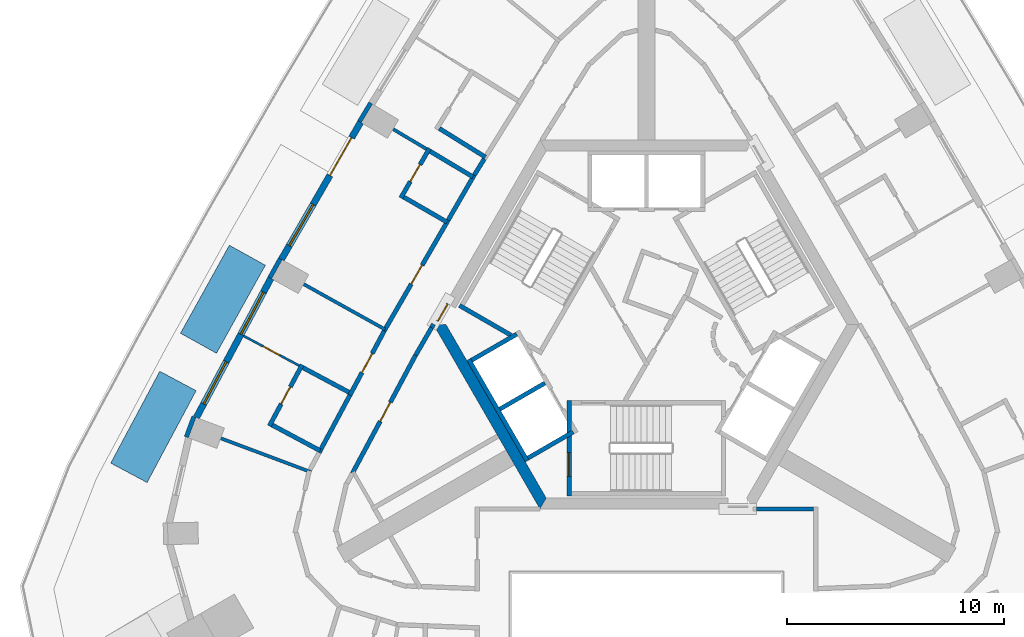
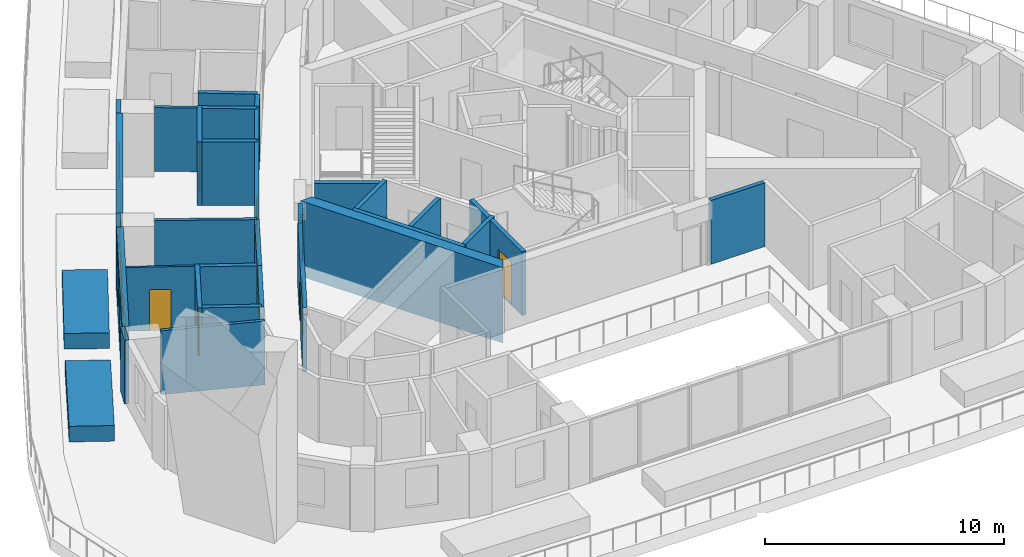
# One storey, part 4 of 12: 35 walls, 9 doors, 3 windows, 12 openings.
"""IFC4 building model written with IfcOpenShell, lengths in metres."""

from ifc_helpers import new_model, si_unit, direction, frame, frame_2d, origin, place, context, subcontext, project, spatial, polyline, rectangle, outline, extrude, material, layer, layer_set, type_object, element, fill, save


model = new_model("IFC4")

# Units and contexts
model_context = context("Model", 3, precision=1e-05, world=origin(), true_north=direction((0.0, 1.0)))
body_context = subcontext(model_context, "Body", "Model", "MODEL_VIEW")
ifc_project = project(units=[si_unit("LENGTHUNIT", "METRE"), si_unit("AREAUNIT", "SQUARE_METRE"), si_unit("VOLUMEUNIT", "CUBIC_METRE"), si_unit("PLANEANGLEUNIT", "RADIAN"), si_unit("MASSUNIT", "GRAM", prefix="KILO")], contexts=[model_context])

# Site, building, storey
site_placement = place(None, origin())
site = spatial("IfcSite", under=ifc_project, at=site_placement, CompositionType="ELEMENT")
building_placement = place(site_placement, origin())
building = spatial("IfcBuilding", under=site, at=building_placement, Name="Entoto Arch Interchange Tower", CompositionType="ELEMENT")
storey_placement = place(building_placement, frame((0.0, 0.0, 286.39990234375)))
storey = spatial("IfcBuildingStorey", under=building, at=storey_placement, Name="L66", CompositionType="ELEMENT", Elevation=286.39990234375)

# Wall, opening, door
ifc_material_1 = material(Name="Reinforced concrete C40/50", Category="concrete")
ifc_layer_1 = layer(ifc_material_1, 0.199951171875)
ifc_layer_set_1 = layer_set([ifc_layer_1], Name="Reinforced concrete C40/50")
wall_type_1 = type_object("IfcWallType", Name="CORE GAP INFILL WALL", PredefinedType="PARTITIONING", material=ifc_layer_set_1)
wall_1_placement = place(storey_placement, frame((-9.14990234375, 3.451904296875, 0.0), z_axis=(0.0, 0.0, 1.0), x_axis=(-0.500079945886, -0.865979242085, 0.0)))
wall_1 = element("IfcWall", 1, at=wall_1_placement, inside=storey, type_object=wall_type_1, Name="wall:L66:gap3", PredefinedType="PARTITIONING", context=body_context, shape_type="SweptSolid", body=[
    extrude(rectangle(XDim=0.926025390625, YDim=0.199951171875, at=frame_2d((0.462890625, 0.0))), origin(), (0.0, 0.0, 1.0), 2.400146484375),
])
opening_1_placement = place(wall_1_placement, frame((0.01708984375, 0.0, 0.0)))
opening_1 = element("IfcOpeningElement", 2, at=opening_1_placement, cuts=wall_1, Name="Opening L66-D93", PredefinedType="OPENING", context=body_context, shape_type="SweptSolid", body=[
    extrude(rectangle(XDim=0.89990234375, YDim=2.10009765625, at=frame_2d((0.449951171875, 1.050048828125))), frame((0.0, 0.10986328125, 0.0), z_axis=(0.0, -1.0, 0.0), x_axis=(1.0, 0.0, 0.0)), (0.0, 0.0, 1.0), 0.219970703125),
])
ifc_material_2 = material(Name="Fire-rated Steel S235 door and frame", Category="steel")
door_type_1 = type_object("IfcDoorType", Name="DOOR FD-09 900x2100", OperationType="SINGLE_SWING_LEFT", PredefinedType="DOOR", material=ifc_material_2)
door_1_placement = place(opening_1_placement, origin())
door_1 = element("IfcDoor", 3, at=door_1_placement, inside=storey, type_object=door_type_1, Name="door:L66:gap3", OperationType="SINGLE_SWING_LEFT", OverallHeight=2.10009765625, OverallWidth=0.89990234375, PredefinedType="DOOR", context=body_context, shape_type="SweptSolid", body=[
    extrude(rectangle(XDim=0.89990234375, YDim=2.10009765625, at=frame_2d((0.449951171875, 1.050048828125))), frame((0.0, 0.02490234375, 0.0), z_axis=(0.0, -1.0, 0.0), x_axis=(1.0, 0.0, 0.0)), (0.0, 0.0, 1.0), 0.050048828125),
])
fill(opening_1, door_1)

# Walls
ifc_material_3 = material(Name="Concrete C40/50", Category="concrete")
ifc_layer_2 = layer(ifc_material_3, 0.5)
ifc_layer_set_2 = layer_set([ifc_layer_2], Name="Concrete C40/50")
wall_type_2 = type_object("IfcWallType", Name="Core wall 500 C40/50", PredefinedType="SHEAR", material=ifc_layer_set_2)
wall_2_placement = place(storey_placement, frame((0.0, 0.0, -0.599853515625)))
element("IfcWall", 4, at=wall_2_placement, inside=storey, type_object=wall_type_2, Name="Core wall SW L66", PredefinedType="SHEAR", context=body_context, shape_type="SweptSolid", body=[
    extrude(outline(polyline([(-9.81494140625, 2.5), (-4.906982421875, -6.0), (-4.618896484375, -5.5), (-9.238037109375, 2.5), (-9.81494140625, 2.5)])), origin(), (0.0, 0.0, 1.0), 3.85986328125),
])
ifc_layer_3 = layer(ifc_material_3, 0.199951171875)
ifc_layer_set_3 = layer_set([ifc_layer_3], Name="Concrete C40/50")
wall_type_3 = type_object("IfcWallType", Name="LIFT SHAFT WALL 200", PredefinedType="STANDARD", material=ifc_layer_set_3)
wall_3_placement = place(storey_placement, frame((-8.19189453125, 0.887939453125, 0.0), z_axis=(0.0, 0.0, 1.0), x_axis=(0.500034260056, -0.866005622828, 0.0)))
element("IfcWall", 5, at=wall_3_placement, inside=storey, type_object=wall_type_3, Name="Shaft wall SW1 back", PredefinedType="STANDARD", context=body_context, shape_type="SweptSolid", body=[
    extrude(rectangle(XDim=5.3994140625, YDim=0.199951171875, at=frame_2d((2.69970703125, 0.0))), origin(), (0.0, 0.0, 1.0), 3.260009765625),
])
for number, where, z_axis, x_axis, name in (
    (6, (-5.97705078125, 2.052001953125, 0.0), (0.0, 0.0, 1.0), (-0.865973769406, -0.500089422704, 0.0), "Shaft wall SW1 cross 1"),
    (7, (-4.677001953125, -0.199951171875, 0.0), (0.0, 0.0, 1.0), (-0.865973769406, -0.500089422704, 0.0), "Shaft wall SW1 cross 2"),
):
    element("IfcWall", number, at=place(storey_placement, frame(where, z_axis=z_axis, x_axis=x_axis)), inside=storey, type_object=wall_type_3, Name=name, PredefinedType="STANDARD", context=body_context, shape_type="SweptSolid", body=[
        extrude(rectangle(XDim=2.3994140625, YDim=0.199951171875, at=frame_2d((1.19970703125, 0.0))), origin(), (0.0, 0.0, 1.0), 3.260009765625),
    ])
wall_4_placement = place(storey_placement, frame((-3.376953125, -2.451904296875, 0.0), z_axis=(0.0, 0.0, 1.0), x_axis=(-0.865955154139, -0.50012165622, 0.0)))
element("IfcWall", 8, at=wall_4_placement, inside=storey, type_object=wall_type_3, Name="Shaft wall SW1 cross 3", PredefinedType="STANDARD", context=body_context, shape_type="SweptSolid", body=[
    extrude(rectangle(XDim=2.39990234375, YDim=0.199951171875, at=frame_2d((1.199951171875, 0.0))), origin(), (0.0, 0.0, 1.0), 3.260009765625),
])

# Wall, opening, door
ifc_material_4 = material(Name="Gypsum board partition on steel studs", Category="steel")
ifc_layer_4 = layer(ifc_material_4, 0.10009765625)
ifc_layer_set_4 = layer_set([ifc_layer_4], Name="Gypsum board partition on steel studs")
wall_type_4 = type_object("IfcWallType", Name="PARTITION 100", PredefinedType="PARTITIONING", material=ifc_layer_set_4)
wall_5_placement = place(storey_placement, frame((-16.0, 0.60205078125, 0.0), z_axis=(0.0, 0.0, 1.0), x_axis=(-0.881743923375, 0.47172836844, 0.0)))
wall_5 = element("IfcWall", 9, at=wall_5_placement, inside=storey, type_object=wall_type_4, Name="wall:L66:p122", PredefinedType="PARTITIONING", context=body_context, shape_type="SweptSolid", body=[
    extrude(rectangle(XDim=2.89990234375, YDim=0.10009765625, at=frame_2d((1.449951171875, 0.0))), origin(), (0.0, 0.0, 1.0), 3.260009765625),
])
opening_2_placement = place(wall_5_placement, frame((1.0, 0.0, 0.0)))
opening_2 = element("IfcOpeningElement", 10, at=opening_2_placement, cuts=wall_5, Name="Opening L66-D22", PredefinedType="OPENING", context=body_context, shape_type="SweptSolid", body=[
    extrude(rectangle(XDim=0.89990234375, YDim=2.10009765625, at=frame_2d((0.449951171875, 1.050048828125))), frame((0.0, 0.06005859375, 0.0), z_axis=(0.0, -1.0, 0.0), x_axis=(1.0, 0.0, 0.0)), (0.0, 0.0, 1.0), 0.1201171875),
])
ifc_material_5 = material(Name="Timber door leaf in Steel S235 frame", Category="steel")
door_type_2 = type_object("IfcDoorType", Name="DOOR DS-09 900x2100", OperationType="SINGLE_SWING_LEFT", PredefinedType="DOOR", material=ifc_material_5)
door_2_placement = place(opening_2_placement, origin())
door_2 = element("IfcDoor", 11, at=door_2_placement, inside=storey, type_object=door_type_2, Name="door:L66:22", OperationType="SINGLE_SWING_LEFT", OverallHeight=2.10009765625, OverallWidth=0.89990234375, PredefinedType="DOOR", context=body_context, shape_type="SweptSolid", body=[
    extrude(rectangle(XDim=0.89990234375, YDim=2.10009765625, at=frame_2d((0.449951171875, 1.050048828125))), frame((0.0, 0.02490234375, 0.0), z_axis=(0.0, -1.0, 0.0), x_axis=(1.0, 0.0, 0.0)), (0.0, 0.0, 1.0), 0.050048828125),
])
fill(opening_2, door_2)

# Walls
ifc_layer_5 = layer(ifc_material_4, 0.14990234375)
ifc_layer_set_5 = layer_set([ifc_layer_5], Name="Gypsum board partition on steel studs")
wall_type_5 = type_object("IfcWallType", Name="PARTITION 150", PredefinedType="PARTITIONING", material=ifc_layer_set_5)
wall_6_placement = place(storey_placement, frame((-10.133056640625, 10.580078125, 0.0), z_axis=(0.0, 0.0, 1.0), x_axis=(-0.857903919212, 0.513810145287, 0.0)))
element("IfcWall", 12, at=wall_6_placement, inside=storey, type_object=wall_type_5, Name="wall:L66:p117", PredefinedType="PARTITIONING", context=body_context, shape_type="SweptSolid", body=[
    extrude(rectangle(XDim=1.781005859375, YDim=0.14990234375, at=frame_2d((0.890625, 0.0))), origin(), (0.0, 0.0, 1.0), 3.260009765625),
])
wall_7_placement = place(storey_placement, frame((-12.044921875, 2.27197265625, 0.0), z_axis=(0.0, 0.0, 1.0), x_axis=(-0.873982340973, 0.485957680943, 0.0)))
element("IfcWall", 13, at=wall_7_placement, inside=storey, type_object=wall_type_5, Name="wall:L66:p121", PredefinedType="PARTITIONING", context=body_context, shape_type="SweptSolid", body=[
    extrude(rectangle(XDim=4.2802734375, YDim=0.14990234375, at=frame_2d((2.14013671875, 0.0))), origin(), (0.0, 0.0, 1.0), 3.260009765625),
])
wall_8_placement = place(storey_placement, frame((-15.449951171875, -4.303955078125, 0.0), z_axis=(0.0, 0.0, 1.0), x_axis=(-0.936458128132, 0.350779381172, 0.0)))
element("IfcWall", 14, at=wall_8_placement, inside=storey, type_object=wall_type_5, Name="wall:L66:p126", PredefinedType="PARTITIONING", context=body_context, shape_type="SweptSolid", body=[
    extrude(rectangle(XDim=4.432861328125, YDim=0.14990234375, at=frame_2d((2.21630859375, 0.0))), origin(), (0.0, 0.0, 1.0), 3.260009765625),
])
ifc_layer_6 = layer(ifc_material_4, 0.199951171875)
ifc_layer_set_6 = layer_set([ifc_layer_6], Name="Gypsum board partition on steel studs")
wall_type_6 = type_object("IfcWallType", Name="PARTITION 200", PredefinedType="PARTITIONING", material=ifc_layer_set_6)
wall_9_placement = place(storey_placement, frame((-9.80908203125, 2.513916015625, 0.0), z_axis=(0.0, 0.0, 1.0), x_axis=(-0.497849076449, -0.867263683708, 0.0)))
element("IfcWall", 15, at=wall_9_placement, inside=storey, type_object=wall_type_6, Name="wall:L66:p021", PredefinedType="PARTITIONING", context=body_context, shape_type="SweptSolid", body=[
    extrude(rectangle(XDim=0.184326171875, YDim=0.199951171875, at=frame_2d((0.09228515625, 0.0))), origin(), (0.0, 0.0, 1.0), 2.400146484375),
])

# Wall, opening, door
wall_10_placement = place(storey_placement, frame((-10.638916015625, 1.083984375, 0.0), z_axis=(0.0, 0.0, 1.0), x_axis=(-0.471696599276, -0.881760918975, 0.0)))
wall_10 = element("IfcWall", 16, at=wall_10_placement, inside=storey, type_object=wall_type_6, Name="wall:L66:p022", PredefinedType="PARTITIONING", context=body_context, shape_type="SweptSolid", body=[
    extrude(rectangle(XDim=6.171630859375, YDim=0.199951171875, at=frame_2d((3.0859375, 0.0))), origin(), (0.0, 0.0, 1.0), 3.260009765625),
])
opening_3_placement = place(wall_10_placement, frame((2.4580078125, 0.0, 0.0)))
opening_3 = element("IfcOpeningElement", 17, at=opening_3_placement, cuts=wall_10, Name="Opening L66-D31", PredefinedType="OPENING", context=body_context, shape_type="SweptSolid", body=[
    extrude(rectangle(XDim=1.0, YDim=2.10009765625, at=frame_2d((0.5, 1.050048828125))), frame((0.0, 0.10986328125, 0.0), z_axis=(0.0, -1.0, 0.0), x_axis=(1.0, 0.0, 0.0)), (0.0, 0.0, 1.0), 0.219970703125),
])
door_type_3 = type_object("IfcDoorType", Name="DOOR DS-10 1000x2100", OperationType="SINGLE_SWING_LEFT", PredefinedType="DOOR", material=ifc_material_5)
door_3_placement = place(opening_3_placement, origin())
door_3 = element("IfcDoor", 18, at=door_3_placement, inside=storey, type_object=door_type_3, Name="door:L66:31", OperationType="SINGLE_SWING_LEFT", OverallHeight=2.10009765625, OverallWidth=1.0, PredefinedType="DOOR", context=body_context, shape_type="SweptSolid", body=[
    extrude(rectangle(XDim=1.0, YDim=2.10009765625, at=frame_2d((0.5, 1.050048828125))), frame((0.0, 0.02490234375, 0.0), z_axis=(0.0, -1.0, 0.0), x_axis=(1.0, 0.0, 0.0)), (0.0, 0.0, 1.0), 0.050048828125),
])
fill(opening_3, door_3)

# Wall
wall_11_placement = place(storey_placement, frame((-7.93701171875, 9.3798828125, 0.0), z_axis=(0.0, 0.0, 1.0), x_axis=(0.52850186976, 0.848932137252, 0.0)))
element("IfcWall", 19, at=wall_11_placement, inside=storey, type_object=wall_type_6, Name="wall:L66:p047", PredefinedType="PARTITIONING", context=body_context, shape_type="SweptSolid", body=[
    extrude(rectangle(XDim=0.880126953125, YDim=0.199951171875, at=frame_2d((0.43994140625, 0.0))), origin(), (0.0, 0.0, 1.0), 3.260009765625),
])

# Wall, opening, door
wall_12_placement = place(storey_placement, frame((-12.08203125, 2.20703125, 0.0), z_axis=(0.0, 0.0, 1.0), x_axis=(0.500123454404, 0.865954115618, 0.0)))
wall_12 = element("IfcWall", 20, at=wall_12_placement, inside=storey, type_object=wall_type_6, Name="wall:L66:p049", PredefinedType="PARTITIONING", context=body_context, shape_type="SweptSolid", body=[
    extrude(rectangle(XDim=5.884765625, YDim=0.199951171875, at=frame_2d((2.9423828125, 0.0))), origin(), (0.0, 0.0, 1.0), 3.260009765625),
])
opening_4_placement = place(wall_12_placement, frame((2.492919921875, 0.0, 0.0)))
opening_4 = element("IfcOpeningElement", 21, at=opening_4_placement, cuts=wall_12, Name="Opening L66-D19", PredefinedType="OPENING", context=body_context, shape_type="SweptSolid", body=[
    extrude(rectangle(XDim=1.0, YDim=2.10009765625, at=frame_2d((0.5, 1.050048828125))), frame((0.0, 0.10986328125, 0.0), z_axis=(0.0, -1.0, 0.0), x_axis=(1.0, 0.0, 0.0)), (0.0, 0.0, 1.0), 0.219970703125),
])
door_type_4 = type_object("IfcDoorType", Name="DOOR FD-10 1000x2100", OperationType="SINGLE_SWING_LEFT", PredefinedType="DOOR", material=ifc_material_2)
door_4_placement = place(opening_4_placement, origin())
door_4 = element("IfcDoor", 22, at=door_4_placement, inside=storey, type_object=door_type_4, Name="door:L66:19", OperationType="SINGLE_SWING_LEFT", OverallHeight=2.10009765625, OverallWidth=1.0, PredefinedType="DOOR", context=body_context, shape_type="SweptSolid", body=[
    extrude(rectangle(XDim=1.0, YDim=2.10009765625, at=frame_2d((0.5, 1.050048828125))), frame((0.0, 0.02490234375, 0.0), z_axis=(0.0, -1.0, 0.0), x_axis=(1.0, 0.0, 0.0)), (0.0, 0.0, 1.0), 0.050048828125),
])
fill(opening_4, door_4)

# Wall
wall_13_placement = place(storey_placement, frame((-9.138916015625, 7.302978515625, 0.0), z_axis=(0.0, 0.0, 1.0), x_axis=(0.499869187296, 0.866100915363, 0.0)))
element("IfcWall", 23, at=wall_13_placement, inside=storey, type_object=wall_type_6, Name="wall:L66:p050", PredefinedType="PARTITIONING", context=body_context, shape_type="SweptSolid", body=[
    extrude(rectangle(XDim=2.400634765625, YDim=0.199951171875, at=frame_2d((1.2001953125, 0.0))), origin(), (0.0, 0.0, 1.0), 3.260009765625),
])

# Wall, opening, door
wall_14_placement = place(storey_placement, frame((-13.666015625, -0.760009765625, 0.0), z_axis=(0.0, 0.0, 1.0), x_axis=(0.471643060173, 0.881789557543, 0.0)))
wall_14 = element("IfcWall", 24, at=wall_14_placement, inside=storey, type_object=wall_type_6, Name="wall:L66:p051", PredefinedType="PARTITIONING", context=body_context, shape_type="SweptSolid", body=[
    extrude(rectangle(XDim=3.362548828125, YDim=0.199951171875, at=frame_2d((1.68115234375, 0.0))), origin(), (0.0, 0.0, 1.0), 3.260009765625),
])
opening_5_placement = place(wall_14_placement, frame((1.180908203125, 0.0, 0.0)))
opening_5 = element("IfcOpeningElement", 25, at=opening_5_placement, cuts=wall_14, Name="Opening L66-D21", PredefinedType="OPENING", context=body_context, shape_type="SweptSolid", body=[
    extrude(rectangle(XDim=1.0, YDim=2.10009765625, at=frame_2d((0.5, 1.050048828125))), frame((0.0, 0.10986328125, 0.0), z_axis=(0.0, -1.0, 0.0), x_axis=(1.0, 0.0, 0.0)), (0.0, 0.0, 1.0), 0.219970703125),
])
door_5_placement = place(opening_5_placement, origin())
door_5 = element("IfcDoor", 26, at=door_5_placement, inside=storey, type_object=door_type_4, Name="door:L66:21", OperationType="SINGLE_SWING_LEFT", OverallHeight=2.10009765625, OverallWidth=1.0, PredefinedType="DOOR", context=body_context, shape_type="SweptSolid", body=[
    extrude(rectangle(XDim=1.0, YDim=2.10009765625, at=frame_2d((0.5, 1.050048828125))), frame((0.0, 0.02490234375, 0.0), z_axis=(0.0, -1.0, 0.0), x_axis=(1.0, 0.0, 0.0)), (0.0, 0.0, 1.0), 0.050048828125),
])
fill(opening_5, door_5)

# Walls
wall_15_placement = place(storey_placement, frame((-15.08203125, -3.405029296875, 0.0), z_axis=(0.0, 0.0, 1.0), x_axis=(0.471719946084, 0.88174842924, 0.0)))
element("IfcWall", 27, at=wall_15_placement, inside=storey, type_object=wall_type_6, Name="wall:L66:p053", PredefinedType="PARTITIONING", context=body_context, shape_type="SweptSolid", body=[
    extrude(rectangle(XDim=2.999755859375, YDim=0.199951171875, at=frame_2d((1.5, 0.0))), origin(), (0.0, 0.0, 1.0), 3.260009765625),
])
wall_16_placement = place(storey_placement, frame((-9.54296875, 11.531005859375, 0.0), z_axis=(0.0, 0.0, 1.0), x_axis=(0.849400119549, -0.527749407305, 0.0)))
element("IfcWall", 28, at=wall_16_placement, inside=storey, type_object=wall_type_6, Name="wall:L66:p116", PredefinedType="PARTITIONING", context=body_context, shape_type="SweptSolid", body=[
    extrude(rectangle(XDim=2.49951171875, YDim=0.199951171875, at=frame_2d((1.249755859375, 0.0))), origin(), (0.0, 0.0, 1.0), 3.260009765625),
])
wall_17_placement = place(storey_placement, frame((-7.989013671875, 9.294921875, 0.0), z_axis=(0.0, 0.0, 1.0), x_axis=(-0.857801856135, 0.513980520654, 0.0)))
element("IfcWall", 29, at=wall_17_placement, inside=storey, type_object=wall_type_6, Name="wall:L66:p118", PredefinedType="PARTITIONING", context=body_context, shape_type="SweptSolid", body=[
    extrude(rectangle(XDim=2.300048828125, YDim=0.199951171875, at=frame_2d((1.14990234375, 0.0))), origin(), (0.0, 0.0, 1.0), 3.260009765625),
])

# Wall, opening, door
wall_18_placement = place(storey_placement, frame((-9.9970703125, 10.614990234375, 0.0), z_axis=(0.0, 0.0, 1.0), x_axis=(-0.500525697837, -0.865721679182, 0.0)))
wall_18 = element("IfcWall", 30, at=wall_18_placement, inside=storey, type_object=wall_type_6, Name="wall:L66:p119", PredefinedType="PARTITIONING", context=body_context, shape_type="SweptSolid", body=[
    extrude(rectangle(XDim=2.639404296875, YDim=0.199951171875, at=frame_2d((1.31982421875, 0.0))), origin(), (0.0, 0.0, 1.0), 3.260009765625),
])
opening_6_placement = place(wall_18_placement, frame((0.868896484375, 0.0, 0.0)))
opening_6 = element("IfcOpeningElement", 31, at=opening_6_placement, cuts=wall_18, Name="Opening L66-D20", PredefinedType="OPENING", context=body_context, shape_type="SweptSolid", body=[
    extrude(rectangle(XDim=0.89990234375, YDim=2.10009765625, at=frame_2d((0.449951171875, 1.050048828125))), frame((0.0, 0.10986328125, 0.0), z_axis=(0.0, -1.0, 0.0), x_axis=(1.0, 0.0, 0.0)), (0.0, 0.0, 1.0), 0.219970703125),
])
door_6_placement = place(opening_6_placement, origin())
door_6 = element("IfcDoor", 32, at=door_6_placement, inside=storey, type_object=door_type_2, Name="door:L66:20", OperationType="SINGLE_SWING_LEFT", OverallHeight=2.10009765625, OverallWidth=0.89990234375, PredefinedType="DOOR", context=body_context, shape_type="SweptSolid", body=[
    extrude(rectangle(XDim=0.89990234375, YDim=2.10009765625, at=frame_2d((0.449951171875, 1.050048828125))), frame((0.0, 0.02490234375, 0.0), z_axis=(0.0, -1.0, 0.0), x_axis=(1.0, 0.0, 0.0)), (0.0, 0.0, 1.0), 0.050048828125),
])
fill(opening_6, door_6)

# Walls
wall_19_placement = place(storey_placement, frame((-11.180908203125, 8.366943359375, 0.0), z_axis=(0.0, 0.0, 1.0), x_axis=(0.866053019151, -0.499952165731, 0.0)))
element("IfcWall", 33, at=wall_19_placement, inside=storey, type_object=wall_type_6, Name="wall:L66:p120", PredefinedType="PARTITIONING", context=body_context, shape_type="SweptSolid", body=[
    extrude(rectangle(XDim=2.300048828125, YDim=0.199951171875, at=frame_2d((1.14990234375, 0.0))), origin(), (0.0, 0.0, 1.0), 3.260009765625),
])
wall_20_placement = place(storey_placement, frame((-13.70703125, -0.6240234375, 0.0), z_axis=(0.0, 0.0, 1.0), x_axis=(-0.881825950813, 0.471575012562, 0.0)))
element("IfcWall", 34, at=wall_20_placement, inside=storey, type_object=wall_type_6, Name="wall:L66:p123", PredefinedType="PARTITIONING", context=body_context, shape_type="SweptSolid", body=[
    extrude(rectangle(XDim=2.400634765625, YDim=0.199951171875, at=frame_2d((1.2001953125, 0.0))), origin(), (0.0, 0.0, 1.0), 3.260009765625),
])

# Wall, opening, door
wall_21_placement = place(storey_placement, frame((-15.864990234375, 0.64306640625, 0.0), z_axis=(0.0, 0.0, 1.0), x_axis=(-0.471677088066, -0.881771356188, 0.0)))
wall_21 = element("IfcWall", 35, at=wall_21_placement, inside=storey, type_object=wall_type_6, Name="wall:L66:p124", PredefinedType="PARTITIONING", context=body_context, shape_type="SweptSolid", body=[
    extrude(rectangle(XDim=3.19921875, YDim=0.199951171875, at=frame_2d((1.599609375, 0.0))), origin(), (0.0, 0.0, 1.0), 3.260009765625),
])
opening_7_placement = place(wall_21_placement, frame((1.14990234375, 0.0, 0.0)))
opening_7 = element("IfcOpeningElement", 36, at=opening_7_placement, cuts=wall_21, Name="Opening L66-D23", PredefinedType="OPENING", context=body_context, shape_type="SweptSolid", body=[
    extrude(rectangle(XDim=0.89990234375, YDim=2.10009765625, at=frame_2d((0.449951171875, 1.050048828125))), frame((0.0, 0.10986328125, 0.0), z_axis=(0.0, -1.0, 0.0), x_axis=(1.0, 0.0, 0.0)), (0.0, 0.0, 1.0), 0.219970703125),
])
door_7_placement = place(opening_7_placement, origin())
door_7 = element("IfcDoor", 37, at=door_7_placement, inside=storey, type_object=door_type_2, Name="door:L66:23", OperationType="SINGLE_SWING_LEFT", OverallHeight=2.10009765625, OverallWidth=0.89990234375, PredefinedType="DOOR", context=body_context, shape_type="SweptSolid", body=[
    extrude(rectangle(XDim=0.89990234375, YDim=2.10009765625, at=frame_2d((0.449951171875, 1.050048828125))), frame((0.0, 0.02490234375, 0.0), z_axis=(0.0, -1.0, 0.0), x_axis=(1.0, 0.0, 0.0)), (0.0, 0.0, 1.0), 0.050048828125),
])
fill(opening_7, door_7)

# Walls
wall_22_placement = place(storey_placement, frame((-17.239013671875, -2.136962890625, 0.0), z_axis=(0.0, 0.0, 1.0), x_axis=(0.881706262609, -0.471798756332, 0.0)))
element("IfcWall", 38, at=wall_22_placement, inside=storey, type_object=wall_type_6, Name="wall:L66:p125", PredefinedType="PARTITIONING", context=body_context, shape_type="SweptSolid", body=[
    extrude(rectangle(XDim=2.5009765625, YDim=0.199951171875, at=frame_2d((1.25048828125, 0.0))), origin(), (0.0, 0.0, 1.0), 3.260009765625),
])
wall_23_placement = place(storey_placement, frame((-9.90087890625, 2.35400390625, 0.0), z_axis=(0.0, 0.0, 1.0), x_axis=(-0.500374498448, -0.865809079014, 0.0)))
element("IfcWall", 39, at=wall_23_placement, inside=storey, type_object=wall_type_6, Name="wall:L66:p021", PredefinedType="PARTITIONING", context=body_context, shape_type="SweptSolid", body=[
    extrude(rectangle(XDim=1.468994140625, YDim=0.199951171875, at=frame_2d((0.734375, 0.0))), origin(), (0.0, 0.0, 1.0), 3.260009765625),
])
wall_24_placement = place(storey_placement, frame((5.075927734375, -5.9990234375, 0.0), z_axis=(0.0, 0.0, 1.0), x_axis=(1.0, 0.0, 0.0)))
element("IfcWall", 40, at=wall_24_placement, inside=storey, type_object=wall_type_6, Name="wall:L66:p073", PredefinedType="PARTITIONING", context=body_context, shape_type="SweptSolid", body=[
    extrude(rectangle(XDim=2.6240234375, YDim=0.199951171875, at=frame_2d((1.31201171875, 0.0))), origin(), (0.0, 0.0, 1.0), 3.260009765625),
])
ifc_material_6 = material(Name="Board-marked precast concrete C50/60", Category="concrete")
ifc_layer_7 = layer(ifc_material_6, 1.89990234375)
ifc_layer_set_7 = layer_set([ifc_layer_7], Name="Board-marked precast concrete C50/60")
wall_type_7 = type_object("IfcWallType", Name="PLANTER RC 1900 Hagenia abyssinica", PredefinedType="STANDARD", material=ifc_layer_set_7)
wall_25_placement = place(storey_placement, frame((-18.387939453125, 5.69091796875, 0.0), z_axis=(0.0, 0.0, 1.0), x_axis=(-0.485696527213, -0.874127498397, 0.0)))
element("IfcWall", 41, at=wall_25_placement, inside=storey, type_object=wall_type_7, Name="Terrace planter NW-04 L66", PredefinedType="STANDARD", context=body_context, shape_type="SweptSolid", body=[
    extrude(rectangle(XDim=4.64111328125, YDim=1.89990234375, at=frame_2d((2.320556640625, 0.0))), origin(), (0.0, 0.0, 1.0), 0.800048828125),
])
ifc_layer_8 = layer(ifc_material_6, 1.89990234375)
ifc_layer_set_8 = layer_set([ifc_layer_8], Name="Board-marked precast concrete C50/60")
wall_type_8 = type_object("IfcWallType", Name="PLANTER RC 1900 Vachellia abyssinica", PredefinedType="STANDARD", material=ifc_layer_set_8)
wall_26_placement = place(storey_placement, frame((-21.5869140625, -0.10302734375, 0.0), z_axis=(0.0, 0.0, 1.0), x_axis=(-0.470902401725, -0.882185313894, 0.0)))
element("IfcWall", 42, at=wall_26_placement, inside=storey, type_object=wall_type_8, Name="Terrace planter NW-05 L66", PredefinedType="STANDARD", context=body_context, shape_type="SweptSolid", body=[
    extrude(rectangle(XDim=4.79931640625, YDim=1.89990234375, at=frame_2d((2.399658203125, 0.0))), origin(), (0.0, 0.0, 1.0), 0.800048828125),
])

# Wall, opening, door
ifc_layer_9 = layer(ifc_material_3, 0.199951171875)
ifc_layer_set_9 = layer_set([ifc_layer_9], Name="Concrete C40/50")
wall_type_9 = type_object("IfcWallType", Name="STAIR ENCLOSURE WALL 200", PredefinedType="STANDARD", material=ifc_layer_set_9)
wall_27_placement = place(storey_placement, frame((-3.550048828125, -1.0, 0.0), z_axis=(0.0, 0.0, 1.0), x_axis=(0.0, -1.0, 0.0)))
wall_27 = element("IfcWall", 43, at=wall_27_placement, inside=storey, type_object=wall_type_9, Name="Stair wall ST-S near", PredefinedType="STANDARD", context=body_context, shape_type="SweptSolid", body=[
    extrude(rectangle(XDim=4.39990234375, YDim=0.199951171875, at=frame_2d((2.199951171875, 0.0))), origin(), (0.0, 0.0, 1.0), 3.260009765625),
])
opening_8_placement = place(wall_27_placement, frame((2.39990234375, 0.0, 0.0)))
opening_8 = element("IfcOpeningElement", 44, at=opening_8_placement, cuts=wall_27, Name="Opening SD-ST-S-L66-E", PredefinedType="OPENING", context=body_context, shape_type="SweptSolid", body=[
    extrude(rectangle(XDim=1.10009765625, YDim=2.199951171875, at=frame_2d((0.550048828125, 1.10009765625))), frame((0.0, 0.10986328125, 0.0), z_axis=(0.0, -1.0, 0.0), x_axis=(1.0, 0.0, 0.0)), (0.0, 0.0, 1.0), 0.219970703125),
])
ifc_material_7 = material(Name="Steel S235", Category="steel")
door_type_5 = type_object("IfcDoorType", Name="STAIR DOOR SD1 1100x2200", OperationType="SINGLE_SWING_LEFT", PredefinedType="DOOR", material=ifc_material_7)
door_8_placement = place(opening_8_placement, origin())
door_8 = element("IfcDoor", 45, at=door_8_placement, inside=storey, type_object=door_type_5, Name="Stair door ST-S L66 end", OperationType="SINGLE_SWING_LEFT", OverallHeight=2.199951171875, OverallWidth=1.10009765625, PredefinedType="DOOR", context=body_context, shape_type="SweptSolid", body=[
    extrude(rectangle(XDim=1.10009765625, YDim=2.199951171875, at=frame_2d((0.550048828125, 1.10009765625))), frame((0.0, 0.02490234375, 0.0), z_axis=(0.0, -1.0, 0.0), x_axis=(1.0, 0.0, 0.0)), (0.0, 0.0, 1.0), 0.050048828125),
])
fill(opening_8, door_8)

# Wall
wall_28_placement = place(storey_placement, frame((-6.25, 2.010009765625, 0.0), z_axis=(0.0, 0.0, 1.0), x_axis=(-0.86611865017, 0.499838457731, 0.0)))
element("IfcWall", 46, at=wall_28_placement, inside=storey, type_object=wall_type_9, Name="Stair wall ST-NW far", PredefinedType="STANDARD", context=body_context, shape_type="SweptSolid", body=[
    extrude(rectangle(XDim=2.73291015625, YDim=0.199951171875, at=frame_2d((1.366455078125, 0.0))), origin(), (0.0, 0.0, 1.0), 3.260009765625),
])

# Wall, openings, door, window
ifc_material_8 = material(Name="Welded tuff (ignimbrite) cladding, warm buff", Category="masonry")
ifc_layer_10 = layer(ifc_material_8, 0.300048828125)
ifc_layer_set_10 = layer_set([ifc_layer_10], Name="Welded tuff (ignimbrite) cladding, warm buff")
wall_type_10 = type_object("IfcWallType", Name="STONE INFILL WALL 300", PredefinedType="STANDARD", material=ifc_layer_set_10)
wall_29_placement = place(storey_placement, frame((-13.172119140625, 11.819091796875, 0.0), z_axis=(0.0, 0.0, 1.0), x_axis=(-0.499945412946, -0.866056917341, 0.0)))
wall_29 = element("IfcWall", 47, at=wall_29_placement, inside=storey, type_object=wall_type_10, Name="Facade wall NW-02 L66", PredefinedType="STANDARD", context=body_context, shape_type="SweptSolid", body=[
    extrude(rectangle(XDim=7.298583984375, YDim=0.300048828125, at=frame_2d((3.6494140625, 0.0))), origin(), (0.0, 0.0, 1.0), 3.260009765625),
])
opening_9_placement = place(wall_29_placement, frame((0.824951171875, 0.0, 0.0)))
opening_9 = element("IfcOpeningElement", 48, at=opening_9_placement, cuts=wall_29, Name="Opening DT-NW-02-L66", PredefinedType="OPENING", context=body_context, shape_type="SweptSolid", body=[
    extrude(rectangle(XDim=2.0, YDim=2.39990234375, at=frame_2d((1.0, 1.199951171875))), frame((0.0, 0.16015625, 0.0), z_axis=(0.0, -1.0, 0.0), x_axis=(1.0, 0.0, 0.0)), (0.0, 0.0, 1.0), 0.320068359375),
])
opening_10_placement = place(wall_29_placement, frame((4.3740234375, 0.0, 0.89990234375)))
opening_10 = element("IfcOpeningElement", 49, at=opening_10_placement, cuts=wall_29, Name="Opening WH-A", PredefinedType="OPENING", context=body_context, shape_type="SweptSolid", body=[
    extrude(rectangle(XDim=2.199951171875, YDim=2.0, at=frame_2d((1.10009765625, 1.0))), frame((0.0, 0.16015625, 0.0), z_axis=(0.0, -1.0, 0.0), x_axis=(1.0, 0.0, 0.0)), (0.0, 0.0, 1.0), 0.320068359375),
])
ifc_material_9 = material(Name="Aluminium and clear glass, anodised", Category="aluminium")
door_type_6 = type_object("IfcDoorType", Name="TERRACE DOOR DT 2000x2400", OperationType="SLIDING_TO_LEFT", PredefinedType="DOOR", material=ifc_material_9)
door_9_placement = place(opening_9_placement, origin())
door_9 = element("IfcDoor", 50, at=door_9_placement, inside=storey, type_object=door_type_6, Name="Terrace door NW-02 L66", OperationType="SLIDING_TO_LEFT", OverallHeight=2.39990234375, OverallWidth=2.0, PredefinedType="DOOR", context=body_context, shape_type="SweptSolid", body=[
    extrude(rectangle(XDim=2.0, YDim=2.39990234375, at=frame_2d((1.0, 1.199951171875))), frame((0.0, 0.02490234375, 0.0), z_axis=(0.0, -1.0, 0.0), x_axis=(1.0, 0.0, 0.0)), (0.0, 0.0, 1.0), 0.050048828125),
])
fill(opening_9, door_9)
ifc_material_10 = material(Name="Clear glass, low-e double glazed", Category="glass")
window_type = type_object("IfcWindowType", Name="WINDOW WH-A 2200x2000", PartitioningType="DOUBLE_PANEL_VERTICAL", PredefinedType="WINDOW", material=ifc_material_10)
window_1_placement = place(opening_10_placement, origin())
window_1 = element("IfcWindow", 51, at=window_1_placement, inside=storey, type_object=window_type, Name="Window WH-A NW-02 L66", OverallHeight=2.0, OverallWidth=2.199951171875, PartitioningType="SINGLE_PANEL", PredefinedType="WINDOW", context=body_context, shape_type="SweptSolid", body=[
    extrude(rectangle(XDim=2.199951171875, YDim=2.0, at=frame_2d((1.10009765625, 1.0))), frame((0.0, 0.030029296875, 0.0), z_axis=(0.0, -1.0, 0.0), x_axis=(1.0, 0.0, 0.0)), (0.0, 0.0, 1.0), 0.06005859375),
])
fill(opening_10, window_1)

# Wall, openings, windows
wall_30_placement = place(storey_placement, frame((-17.305908203125, 4.6259765625, 0.0), z_axis=(0.0, 0.0, 1.0), x_axis=(-0.471789353675, -0.881711293882, 0.0)))
wall_30 = element("IfcWall", 52, at=wall_30_placement, inside=storey, type_object=wall_type_10, Name="Facade wall NW-03 L66", PredefinedType="STANDARD", context=body_context, shape_type="SweptSolid", body=[
    extrude(rectangle(XDim=7.27685546875, YDim=0.300048828125, at=frame_2d((3.638427734375, 0.0))), origin(), (0.0, 0.0, 1.0), 3.260009765625),
])
opening_11_placement = place(wall_30_placement, frame((0.718994140625, 0.0, 0.89990234375)))
opening_11 = element("IfcOpeningElement", 53, at=opening_11_placement, cuts=wall_30, Name="Opening WH-A", PredefinedType="OPENING", context=body_context, shape_type="SweptSolid", body=[
    extrude(rectangle(XDim=2.199951171875, YDim=2.0, at=frame_2d((1.10009765625, 1.0))), frame((0.0, 0.16015625, 0.0), z_axis=(0.0, -1.0, 0.0), x_axis=(1.0, 0.0, 0.0)), (0.0, 0.0, 1.0), 0.320068359375),
])
opening_12_placement = place(wall_30_placement, frame((4.35791015625, 0.0, 0.89990234375)))
opening_12 = element("IfcOpeningElement", 54, at=opening_12_placement, cuts=wall_30, Name="Opening WH-A", PredefinedType="OPENING", context=body_context, shape_type="SweptSolid", body=[
    extrude(rectangle(XDim=2.199951171875, YDim=2.0, at=frame_2d((1.10009765625, 1.0))), frame((0.0, 0.16015625, 0.0), z_axis=(0.0, -1.0, 0.0), x_axis=(1.0, 0.0, 0.0)), (0.0, 0.0, 1.0), 0.320068359375),
])
window_2_placement = place(opening_11_placement, origin())
window_2 = element("IfcWindow", 55, at=window_2_placement, inside=storey, type_object=window_type, Name="Window WH-A NW-03 L66", OverallHeight=2.0, OverallWidth=2.199951171875, PartitioningType="SINGLE_PANEL", PredefinedType="WINDOW", context=body_context, shape_type="SweptSolid", body=[
    extrude(rectangle(XDim=2.199951171875, YDim=2.0, at=frame_2d((1.10009765625, 1.0))), frame((0.0, 0.030029296875, 0.0), z_axis=(0.0, -1.0, 0.0), x_axis=(1.0, 0.0, 0.0)), (0.0, 0.0, 1.0), 0.06005859375),
])
fill(opening_11, window_2)
window_3_placement = place(opening_12_placement, origin())
window_3 = element("IfcWindow", 56, at=window_3_placement, inside=storey, type_object=window_type, Name="Window WH-A NW-03 L66", OverallHeight=2.0, OverallWidth=2.199951171875, PartitioningType="SINGLE_PANEL", PredefinedType="WINDOW", context=body_context, shape_type="SweptSolid", body=[
    extrude(rectangle(XDim=2.199951171875, YDim=2.0, at=frame_2d((1.10009765625, 1.0))), frame((0.0, 0.030029296875, 0.0), z_axis=(0.0, -1.0, 0.0), x_axis=(1.0, 0.0, 0.0)), (0.0, 0.0, 1.0), 0.06005859375),
])
fill(opening_12, window_3)

# Walls
ifc_layer_11 = layer(ifc_material_8, 0.199951171875)
ifc_layer_set_11 = layer_set([ifc_layer_11], Name="Welded tuff (ignimbrite) cladding, warm buff")
wall_type_11 = type_object("IfcWallType", Name="STONE PIER CLADDING 200", PredefinedType="STANDARD", material=ifc_layer_set_11)
wall_31_placement = place(storey_placement, frame((-12.7080078125, 12.7060546875, 0.0), z_axis=(0.0, 0.0, 1.0), x_axis=(-0.513777707721, -0.857923345672, 0.0)))
element("IfcWall", 57, at=wall_31_placement, inside=storey, type_object=wall_type_11, Name="Stone pier NW02 L66", PredefinedType="STANDARD", context=body_context, shape_type="SweptSolid", body=[
    extrude(rectangle(XDim=1.000244140625, YDim=0.199951171875, at=frame_2d((0.5, 0.0))), origin(), (0.0, 0.0, 1.0), 3.260009765625),
])
wall_32_placement = place(storey_placement, frame((-16.8720703125, 5.527099609375, 0.0), z_axis=(0.0, 0.0, 1.0), x_axis=(-0.485850211157, -0.874042088414, 0.0)))
element("IfcWall", 58, at=wall_32_placement, inside=storey, type_object=wall_type_11, Name="Stone pier NW03 L66", PredefinedType="STANDARD", context=body_context, shape_type="SweptSolid", body=[
    extrude(rectangle(XDim=1.0, YDim=0.199951171875, at=frame_2d((0.5, 0.0))), origin(), (0.0, 0.0, 1.0), 3.260009765625),
])
wall_33_placement = place(storey_placement, frame((-20.84912109375, -1.748046875, 0.0), z_axis=(0.0, 0.0, 1.0), x_axis=(-0.350962844851, -0.936389385637, 0.0)))
element("IfcWall", 59, at=wall_33_placement, inside=storey, type_object=wall_type_11, Name="Stone pier NW04 L66", PredefinedType="STANDARD", context=body_context, shape_type="SweptSolid", body=[
    extrude(rectangle(XDim=0.99951171875, YDim=0.199951171875, at=frame_2d((0.499755859375, 0.0))), origin(), (0.0, 0.0, 1.0), 3.260009765625),
])

save(model, "model.ifc")
